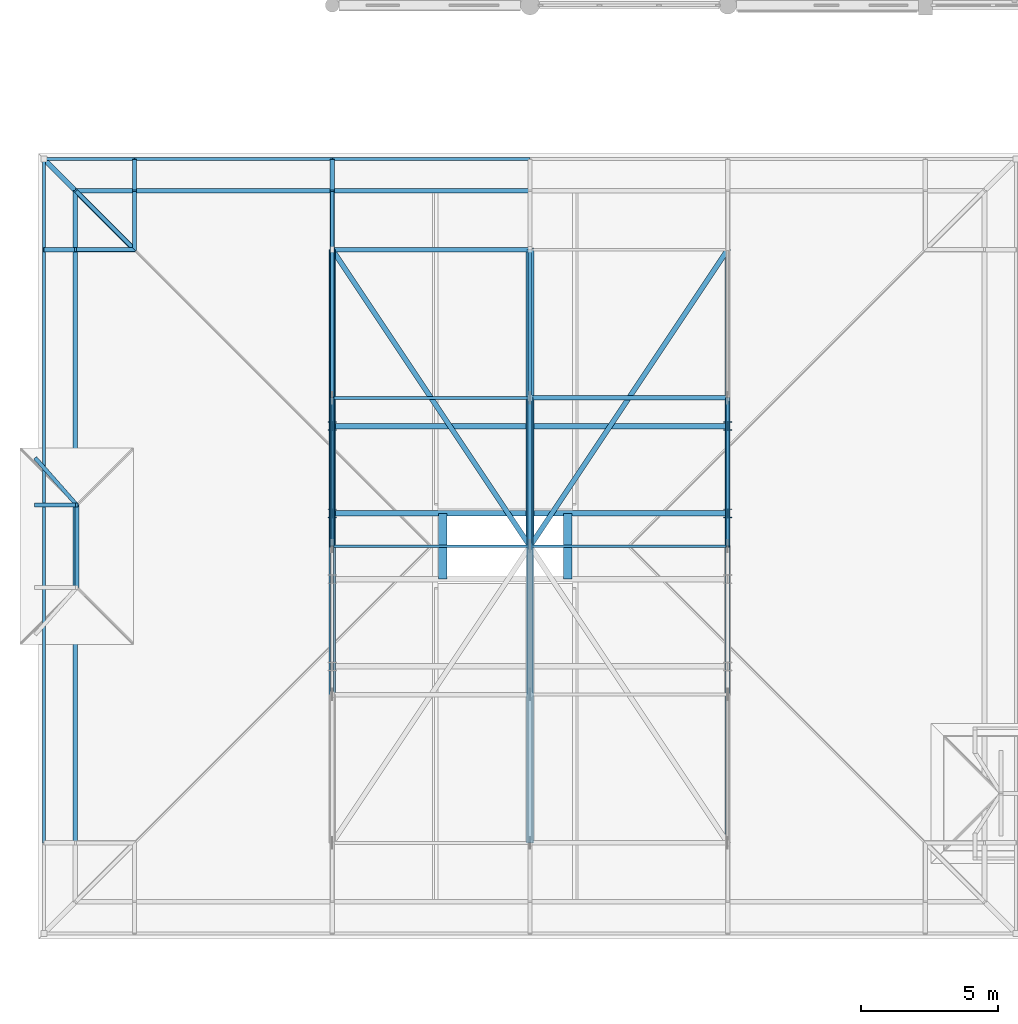
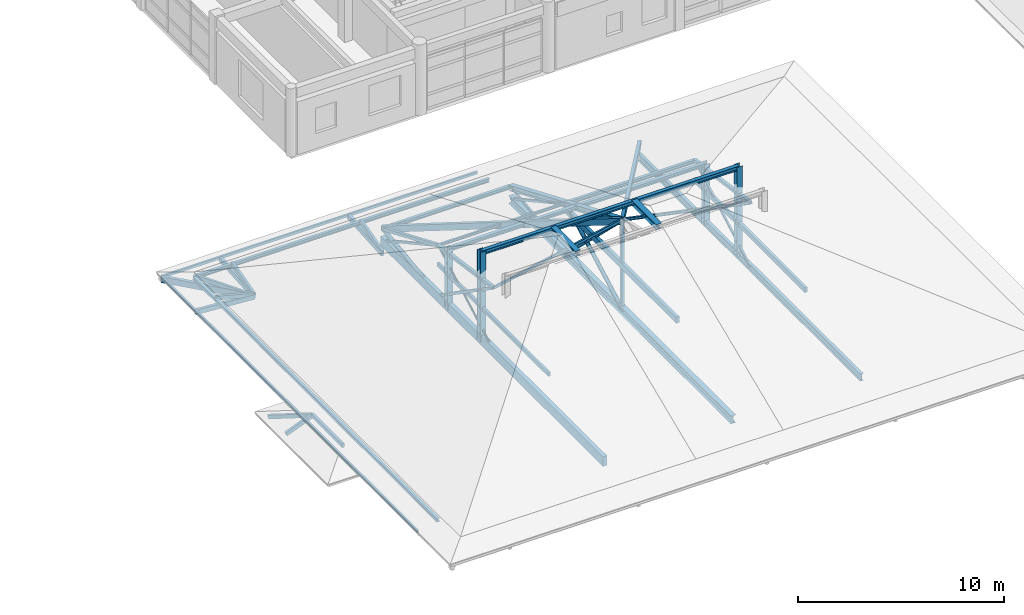
# One storey, part 9 of 110: 53 members, 5 beams.
"""IFC4 building model written with IfcOpenShell, lengths in metres."""

import ifcopenshell
import ifcopenshell.guid

model = None  # the IFC model being written
_history = None  # IfcOwnerHistory: only IFC2X3 demands one
_inside = {}  # id of a spatial element -> (the spatial element, [elements in it])
_under = {}  # id of a project, library or spatial element -> (it, [spatial elements below it])
_declared = {}  # id of a project -> (the project, [libraries it declares])
_typed = {}  # id of a type object -> (the type object, [elements of that type])
_made_of = {}  # id of a material, layer set ... -> (it, [elements and type objects made of it])


def new_model(schema):
    """Start an empty IFC model of exactly this schema.

    Asked for "IFC4X3", IfcOpenShell would pick the latest addendum, in which some entities
    have other attributes; the version numbers below select the first issue.
    IFC2X3 requires an IfcOwnerHistory on every rooted entity: one is made here for all.
    """
    global model, _history
    if schema == "IFC4X3":
        model = ifcopenshell.file(schema_version=(4, 3, 0, 0))
    else:
        model = ifcopenshell.file(schema=schema)
    _inside.clear()
    _under.clear()
    _declared.clear()
    _typed.clear()
    _made_of.clear()
    _history = None
    if model.schema == "IFC2X3":
        org = make("IfcOrganization", Name="unknown")
        user = make(
            "IfcPersonAndOrganization",
            ThePerson=make("IfcPerson", FamilyName="unknown"),
            TheOrganization=org,
        )
        app = make(
            "IfcApplication",
            ApplicationDeveloper=org,
            Version="unknown",
            ApplicationFullName="unknown",
            ApplicationIdentifier="unknown",
        )
        _history = make(
            "IfcOwnerHistory",
            OwningUser=user,
            OwningApplication=app,
            ChangeAction="ADDED",
            CreationDate=0,
        )
    return model


def make(cls, **values):
    """One entity of the class cls with the attributes given. An attribute that is None is left unset."""
    return model.create_entity(
        cls, **{name: value for name, value in values.items() if value is not None}
    )


def rooted(cls, **values):
    """An entity with a GlobalId (a new one), such as an element, a storey or a relation."""
    return make(cls, GlobalId=ifcopenshell.guid.new(), OwnerHistory=_history, **values)


def si_unit(unit_type, name, prefix=None):
    """IfcSIUnit, for example si_unit("LENGTHUNIT", "METRE", prefix="MILLI")."""
    return make("IfcSIUnit", UnitType=unit_type, Prefix=prefix, Name=name)


def assignment(units):
    """IfcUnitAssignment: the units of a project."""
    return None if units is None else make("IfcUnitAssignment", Units=units)


def point(xyz):
    """IfcCartesianPoint."""
    return None if xyz is None else make("IfcCartesianPoint", Coordinates=xyz)


def direction(xyz):
    """IfcDirection."""
    return None if xyz is None else make("IfcDirection", DirectionRatios=xyz)


def frame(location, z_axis=None, x_axis=None):
    """IfcAxis2Placement3D, a coordinate frame: its origin and axes. An axis left out is left unset."""
    return make(
        "IfcAxis2Placement3D",
        Location=point(location),
        Axis=direction(z_axis),
        RefDirection=direction(x_axis),
    )


def frame_2d(location, x_axis=None):
    """IfcAxis2Placement2D, a coordinate frame in the plane: its origin and x axis."""
    return make(
        "IfcAxis2Placement2D", Location=point(location), RefDirection=direction(x_axis)
    )


def origin():
    """The frame at (0, 0, 0) with its axes left unset."""
    return frame((0.0, 0.0, 0.0))


def origin_2d():
    """The frame at (0, 0) in the plane with its x axis left unset."""
    return frame_2d((0.0, 0.0))


def place(relative_to, where):
    """IfcLocalPlacement: puts the frame where relative to a parent placement (None: the world)."""
    return make(
        "IfcLocalPlacement", PlacementRelTo=relative_to, RelativePlacement=where
    )


def context(
    kind, dimensions, precision=None, world=None, true_north=None, identifier=None
):
    """IfcGeometricRepresentationContext, for example the 3D "Model" context."""
    return make(
        "IfcGeometricRepresentationContext",
        ContextIdentifier=identifier,
        ContextType=kind,
        CoordinateSpaceDimension=dimensions,
        Precision=precision,
        WorldCoordinateSystem=world,
        TrueNorth=true_north,
    )


def subcontext(parent, identifier, kind, view, scale=None):
    """IfcGeometricRepresentationSubContext, for example "Body" below "Model"."""
    return make(
        "IfcGeometricRepresentationSubContext",
        ContextIdentifier=identifier,
        ContextType=kind,
        ParentContext=parent,
        TargetScale=scale,
        TargetView=view,
    )


def project(units=None, contexts=None):
    """IfcProject with its units and contexts."""
    return rooted(
        "IfcProject",
        Name="project",
        RepresentationContexts=contexts,
        UnitsInContext=assignment(units),
    )


def spatial(cls, under=None, at=None, **own):
    """A site, building, storey or space (cls), placed at a placement, below another one or the project."""
    s = rooted(cls, ObjectPlacement=at, **own)
    if under is not None:
        _under.setdefault(under.id(), (under, []))[1].append(s)
    return s


def profile(cls, at=None, kind="AREA", **sizes):
    """A parametric profile (cls). Its sizes go by their IFC names, for example OverallWidth=200.0."""
    return make(cls, ProfileType=kind, Position=at, **sizes)


def rectangle(**sizes):
    """IfcRectangleProfileDef."""
    return profile("IfcRectangleProfileDef", **sizes)


def hollow_rectangle(**sizes):
    """IfcRectangleHollowProfileDef."""
    return profile("IfcRectangleHollowProfileDef", **sizes)


def hollow_circle(**sizes):
    """IfcCircleHollowProfileDef."""
    return profile("IfcCircleHollowProfileDef", **sizes)


def i_section(**sizes):
    """IfcIShapeProfileDef."""
    return profile("IfcIShapeProfileDef", **sizes)


def extrude(swept, where, along, depth):
    """IfcExtrudedAreaSolid: the profile swept, set in the frame where, extruded along a direction by depth."""
    return make(
        "IfcExtrudedAreaSolid",
        SweptArea=swept,
        Position=where,
        ExtrudedDirection=direction(along),
        Depth=depth,
    )


def shape(context_of_items, identifier, shape_type, items):
    """IfcShapeRepresentation: the items that make up one representation, for example the "Body"."""
    return make(
        "IfcShapeRepresentation",
        ContextOfItems=context_of_items,
        RepresentationIdentifier=identifier,
        RepresentationType=shape_type,
        Items=items,
    )


def material(Name=None, Category=None):
    """IfcMaterial."""
    return make("IfcMaterial", Name=Name, Category=Category)


def material_profile(
    of_material, cross_section, Name=None, Category=None, Priority=None
):
    """IfcMaterialProfile: a cross section and its material."""
    return make(
        "IfcMaterialProfile",
        Name=Name,
        Material=of_material,
        Profile=cross_section,
        Priority=Priority,
        Category=Category,
    )


def profile_set(profiles, Name=None, composite=None):
    """IfcMaterialProfileSet."""
    return make(
        "IfcMaterialProfileSet",
        Name=Name,
        MaterialProfiles=profiles,
        CompositeProfile=composite,
    )


def made_of(thing, what):
    """Note that an element or type object is made of a material, layer set ...; save() writes the relation."""
    if what is not None:
        _made_of.setdefault(what.id(), (what, []))[1].append(thing)
    return thing


def type_object(cls, material=None, **own):
    """A type object (cls), such as IfcWallType, which elements share."""
    return made_of(rooted(cls, **own), material)


def element(
    cls,
    number,
    at=None,
    inside=None,
    cuts=None,
    type_object=None,
    material=None,
    context=None,
    identifier="Body",
    shape_type=None,
    held_by="IfcProductDefinitionShape",
    body=None,
    shapes=None,
    **own,
):
    """One element of the class cls, such as IfcWall. Its Tag is "e" and its number.

    at: its placement. inside: the storey or other place that contains it. cuts: it is an
    opening in that element (IfcRelVoidsElement). A single representation is given by context,
    identifier, shape_type and body (its items); several are given by shapes. held_by: the class
    of the entity that holds the representations. save() writes the other relations.
    """
    e = rooted(cls, Tag="e%d" % number, ObjectPlacement=at, **own)
    if body is not None:
        shapes = [shape(context, identifier, shape_type, body)]
    if shapes is not None:
        e.Representation = make(held_by, Representations=shapes)
    if inside is not None:
        _inside.setdefault(inside.id(), (inside, []))[1].append(e)
    if cuts is not None:
        rooted(
            "IfcRelVoidsElement", RelatingBuildingElement=cuts, RelatedOpeningElement=e
        )
    if type_object is not None:
        _typed.setdefault(type_object.id(), (type_object, []))[1].append(e)
    return made_of(e, material)


def aggregate(whole, parts):
    """IfcRelAggregates: a whole, such as a stair, and the parts it consists of."""
    return rooted("IfcRelAggregates", RelatingObject=whole, RelatedObjects=parts)


def save(model, path):
    """Write the relations noted so far, then the file.

    IfcRelAggregates (storeys below a building ...), IfcRelContainedInSpatialStructure (elements
    in a storey), IfcRelDefinesByType, IfcRelAssociatesMaterial and IfcRelDeclares: one each for
    every whole, place, type object, material and project.
    """
    for whole, parts in _under.values():
        aggregate(whole, parts)
    for where, things in _inside.values():
        rooted(
            "IfcRelContainedInSpatialStructure",
            RelatedElements=things,
            RelatingStructure=where,
        )
    for kind, things in _typed.values():
        rooted("IfcRelDefinesByType", RelatedObjects=things, RelatingType=kind)
    for what, things in _made_of.values():
        rooted("IfcRelAssociatesMaterial", RelatedObjects=things, RelatingMaterial=what)
    for by, libraries in _declared.values():
        rooted("IfcRelDeclares", RelatingContext=by, RelatedDefinitions=libraries)
    model.write(path)


model = new_model("IFC4")

# Units and contexts
model_context = context("Model", 3, precision=1e-05, world=origin(), true_north=direction((0.0, 1.0)))
body_context = subcontext(model_context, "Body", "Model", "MODEL_VIEW")
ifc_project = project(units=[si_unit("LENGTHUNIT", "METRE"), si_unit("AREAUNIT", "SQUARE_METRE"), si_unit("VOLUMEUNIT", "CUBIC_METRE"), si_unit("PLANEANGLEUNIT", "RADIAN"), si_unit("MASSUNIT", "GRAM", prefix="KILO")], contexts=[model_context])

# Site, building, storey
site_placement = place(None, origin())
site = spatial("IfcSite", under=ifc_project, at=site_placement, CompositionType="ELEMENT")
building_placement = place(site_placement, origin())
building = spatial("IfcBuilding", under=site, at=building_placement, Name="Steenspoor Specialist Clinic", CompositionType="ELEMENT")
storey_placement = place(building_placement, frame((0.0, 0.0, 4.800048828125)))
storey = spatial("IfcBuildingStorey", under=building, at=storey_placement, Name="L01", CompositionType="ELEMENT", Elevation=4.800048828125)

# Beams
ifc_material_1 = material(Name="Glulam GL28h", Category="wood")
ifc_material_profile_1 = material_profile(ifc_material_1, rectangle(XDim=0.239990234375, YDim=0.56005859375, at=origin_2d()), Name="GL28H-240X560")
ifc_profile_set_1 = profile_set([ifc_material_profile_1], Name="Glulam GL28h")
beam_type_1 = type_object("IfcBeamType", Name="BM-GL-240X560", PredefinedType="BEAM", material=ifc_profile_set_1)
beam_1_placement = place(storey_placement, frame((15.60009765625, 34.64990234375, 0.300048828125), z_axis=(0.0, 1.0, 0.0), x_axis=(-1.0, 0.0, 0.0)))
element("IfcBeam", 1, at=beam_1_placement, inside=storey, type_object=beam_type_1, Name="ROOF TRUSS Bottom Tie Chord V3 2", PredefinedType="BEAM", context=body_context, shape_type="SweptSolid", body=[
    extrude(rectangle(XDim=0.239990234375, YDim=0.56005859375, at=origin_2d()), origin(), (0.0, 0.0, 1.0), 21.60009765625),
])
ifc_material_2 = material(Name="Steel A992 Grade 50", Category="steel")
ifc_material_profile_2 = material_profile(ifc_material_2, i_section(OverallWidth=0.2041015625, OverallDepth=0.2060546875, WebThickness=0.0078125, FlangeThickness=0.0126953125, at=origin_2d()), Name="W200X52")
ifc_profile_set_2 = profile_set([ifc_material_profile_2], Name="Steel A992 Grade 50")
beam_type_2 = type_object("IfcBeamType", Name="BM-ST-W200X52", PredefinedType="JOIST", material=ifc_profile_set_2)
beam_2_placement = place(storey_placement, frame((15.60009765625, 49.823974609375, 3.683837890625), z_axis=(1.0, 0.0, 0.0), x_axis=(0.0, 1.0, 0.0)))
element("IfcBeam", 2, at=beam_2_placement, inside=storey, type_object=beam_type_2, Name="Roof Sub-Facet Bearer V3 M N", PredefinedType="JOIST", context=body_context, shape_type="SweptSolid", body=[
    extrude(i_section(OverallWidth=0.2041015625, OverallDepth=0.2060546875, WebThickness=0.0078125, FlangeThickness=0.0126953125, at=origin_2d()), origin(), (0.0, 0.0, 1.0), 14.39990234375),
])
ifc_material_profile_3 = material_profile(ifc_material_2, i_section(OverallWidth=0.202880859375, OverallDepth=0.251953125, WebThickness=0.008056640625, FlangeThickness=0.013427734375, at=origin_2d()), Name="W250X58")
ifc_profile_set_3 = profile_set([ifc_material_profile_3], Name="Steel A992 Grade 50")
beam_type_3 = type_object("IfcBeamType", Name="BM-ST-W250X58", PredefinedType="JOIST", material=ifc_profile_set_3)
beam_3_placement = place(storey_placement, frame((15.60009765625, 46.64990234375, 5.4140625), z_axis=(1.0, 0.0, 0.0), x_axis=(0.0, 1.0, 0.0)))
element("IfcBeam", 3, at=beam_3_placement, inside=storey, type_object=beam_type_3, Name="Roof Curb Trimmer Beam V3 2", PredefinedType="JOIST", context=body_context, shape_type="SweptSolid", body=[
    extrude(i_section(OverallWidth=0.202880859375, OverallDepth=0.251953125, WebThickness=0.008056640625, FlangeThickness=0.013427734375, at=origin_2d()), origin(), (0.0, 0.0, 1.0), 14.39990234375),
])
ifc_material_profile_4 = material_profile(ifc_material_2, i_section(OverallWidth=0.180908203125, OverallDepth=0.4169921875, WebThickness=0.010986328125, FlangeThickness=0.018310546875, at=origin_2d()), Name="W410X85")
ifc_profile_set_4 = profile_set([ifc_material_profile_4], Name="Steel A992 Grade 50")
beam_type_4 = type_object("IfcBeamType", Name="BM-ST-W410X85", PredefinedType="BEAM", material=ifc_profile_set_4)
beam_4_placement = place(storey_placement, frame((30.0, 34.64990234375, 0.228515625), z_axis=(0.0, 1.0, 0.0), x_axis=(-1.0, 0.0, 0.0)))
element("IfcBeam", 4, at=beam_4_placement, inside=storey, type_object=beam_type_4, Name="ROOF TRUSS Bottom Tie Chord V3 4", PredefinedType="BEAM", context=body_context, shape_type="SweptSolid", body=[
    extrude(i_section(OverallWidth=0.180908203125, OverallDepth=0.4169921875, WebThickness=0.010986328125, FlangeThickness=0.018310546875, at=origin_2d()), origin(), (0.0, 0.0, 1.0), 21.60009765625),
])
ifc_material_profile_5 = material_profile(ifc_material_2, i_section(OverallWidth=0.280029296875, OverallDepth=0.462890625, WebThickness=0.0107421875, FlangeThickness=0.017333984375, at=origin_2d()), Name="W460X113")
ifc_profile_set_5 = profile_set([ifc_material_profile_5], Name="Steel A992 Grade 50")
beam_type_5 = type_object("IfcBeamType", Name="BM-ST-W460X113", PredefinedType="BEAM", material=ifc_profile_set_5)
beam_5_placement = place(storey_placement, frame((22.800048828125, 34.64990234375, 0.25146484375), z_axis=(0.0, 1.0, 0.0), x_axis=(-1.0, 0.0, 0.0)))
element("IfcBeam", 5, at=beam_5_placement, inside=storey, type_object=beam_type_5, Name="ROOF TRUSS Bottom Tie Chord V3 3", PredefinedType="BEAM", context=body_context, shape_type="SweptSolid", body=[
    extrude(i_section(OverallWidth=0.280029296875, OverallDepth=0.462890625, WebThickness=0.0107421875, FlangeThickness=0.017333984375, at=origin_2d()), origin(), (0.0, 0.0, 1.0), 21.60009765625),
])

# Members
ifc_material_3 = material(Name="Steel A500 Grade C", Category="steel")
ifc_material_profile_6 = material_profile(ifc_material_3, hollow_rectangle(XDim=0.126953125, YDim=0.126953125, WallThickness=0.0087890625, at=origin_2d()), Name="HSS127X127X9.5")
ifc_profile_set_6 = profile_set([ifc_material_profile_6], Name="Steel A500 Grade C")
member_type_1 = type_object("IfcMemberType", Name="MEM-BRACE-H127A", PredefinedType="BRACE", material=ifc_profile_set_6)
member_1_placement = place(storey_placement, frame((15.60009765625, 50.85009765625, 3.27197265625), z_axis=(0.0, 0.876080396269, -0.482165053973), x_axis=(-1.0, 0.0, 0.0)))
element("IfcMember", 6, at=member_1_placement, inside=storey, type_object=member_type_1, Name="ROOF TRUSS Web Brace V3 2.4", PredefinedType="BRACE", context=body_context, shape_type="SweptSolid", body=[
    extrude(hollow_rectangle(XDim=0.126953125, YDim=0.126953125, WallThickness=0.0087890625, at=origin_2d()), origin(), (0.0, 0.0, 1.0), 6.163818359375),
])
member_2_placement = place(storey_placement, frame((22.800048828125, 45.449951171875, 5.490234375), z_axis=(0.0, 0.717750000324, -0.696300895472), x_axis=(-1.0, 0.0, 0.0)))
element("IfcMember", 7, at=member_2_placement, inside=storey, type_object=member_type_1, Name="ROOF TRUSS Web Brace V3 3.3", PredefinedType="BRACE", context=body_context, shape_type="SweptSolid", body=[
    extrude(hollow_rectangle(XDim=0.126953125, YDim=0.126953125, WallThickness=0.0087890625, at=origin_2d()), origin(), (0.0, 0.0, 1.0), 7.523681640625),
])
ifc_material_profile_7 = material_profile(ifc_material_3, hollow_rectangle(XDim=0.126953125, YDim=0.126953125, WallThickness=0.005859375, at=origin_2d()), Name="HSS127X127X6.4")
ifc_profile_set_7 = profile_set([ifc_material_profile_7], Name="Steel A500 Grade C")
member_type_2 = type_object("IfcMemberType", Name="MEM-BRACE-H127B", PredefinedType="BRACE", material=ifc_profile_set_7)
member_3_placement = place(storey_placement, frame((22.800048828125, 50.85009765625, 3.212158203125), z_axis=(0.0, 0.87684960813, -0.480764770675), x_axis=(-1.0, 0.0, 0.0)))
element("IfcMember", 8, at=member_3_placement, inside=storey, type_object=member_type_2, Name="ROOF TRUSS Web Brace V3 3.4", PredefinedType="BRACE", context=body_context, shape_type="SweptSolid", body=[
    extrude(hollow_rectangle(XDim=0.126953125, YDim=0.126953125, WallThickness=0.005859375, at=origin_2d()), origin(), (0.0, 0.0, 1.0), 6.158203125),
])
member_4_placement = place(storey_placement, frame((30.0, 45.449951171875, 4.031494140625), z_axis=(0.0, 0.817601472922, -0.575784535635), x_axis=(-1.0, 0.0, 0.0)))
element("IfcMember", 9, at=member_4_placement, inside=storey, type_object=member_type_2, Name="ROOF TRUSS Web Brace V3 4.3", PredefinedType="BRACE", context=body_context, shape_type="SweptSolid", body=[
    extrude(hollow_rectangle(XDim=0.126953125, YDim=0.126953125, WallThickness=0.005859375, at=origin_2d()), origin(), (0.0, 0.0, 1.0), 6.60498046875),
])
ifc_material_profile_8 = material_profile(ifc_material_3, hollow_rectangle(XDim=0.15234375, YDim=0.15234375, WallThickness=0.0087890625, at=origin_2d()), Name="HSS152X152X9.5")
ifc_profile_set_8 = profile_set([ifc_material_profile_8], Name="Steel A500 Grade C")
member_type_3 = type_object("IfcMemberType", Name="MEM-BRACE-H152", PredefinedType="BRACE", material=ifc_profile_set_8)
member_5_placement = place(storey_placement, frame((15.60009765625, 45.449951171875, 4.031494140625), z_axis=(0.0, 0.822699343059, -0.568476728574), x_axis=(-1.0, 0.0, 0.0)))
element("IfcMember", 10, at=member_5_placement, inside=storey, type_object=member_type_3, Name="ROOF TRUSS Web Brace V3 2.3", PredefinedType="BRACE", context=body_context, shape_type="SweptSolid", body=[
    extrude(hollow_rectangle(XDim=0.15234375, YDim=0.15234375, WallThickness=0.0087890625, at=origin_2d()), origin(), (0.0, 0.0, 1.0), 6.56396484375),
])
ifc_material_profile_9 = material_profile(ifc_material_3, hollow_rectangle(XDim=0.177734375, YDim=0.177734375, WallThickness=0.0087890625, at=origin_2d()), Name="HSS178X178X9.5")
ifc_profile_set_9 = profile_set([ifc_material_profile_9], Name="Steel A500 Grade C")
member_type_4 = type_object("IfcMemberType", Name="MEM-CHORD-H178", PredefinedType="CHORD", material=ifc_profile_set_9)
member_6_placement = place(storey_placement, frame((15.60009765625, 45.449951171875, 4.031494140625), z_axis=(0.0, 0.990253395314, -0.139277467915), x_axis=(-1.0, 0.0, 0.0)))
element("IfcMember", 11, at=member_6_placement, inside=storey, type_object=member_type_4, Name="ROOF TRUSS Top Chord V3 2.3", PredefinedType="CHORD", context=body_context, shape_type="SweptSolid", body=[
    extrude(hollow_rectangle(XDim=0.177734375, YDim=0.177734375, WallThickness=0.0087890625, at=origin_2d()), origin(), (0.0, 0.0, 1.0), 5.453369140625),
])
member_7_placement = place(storey_placement, frame((15.60009765625, 50.85009765625, 3.27197265625), z_axis=(0.0, 0.921364627168, -0.388699400312), x_axis=(-1.0, 0.0, 0.0)))
element("IfcMember", 12, at=member_7_placement, inside=storey, type_object=member_type_4, Name="ROOF TRUSS Top Chord V3 2.4", PredefinedType="CHORD", context=body_context, shape_type="SweptSolid", body=[
    extrude(hollow_rectangle(XDim=0.177734375, YDim=0.177734375, WallThickness=0.0087890625, at=origin_2d()), origin(), (0.0, 0.0, 1.0), 5.86083984375),
])
member_8_placement = place(storey_placement, frame((30.0, 45.449951171875, 4.031494140625), z_axis=(0.0, 0.990253395314, -0.139277467915), x_axis=(-1.0, 0.0, 0.0)))
element("IfcMember", 13, at=member_8_placement, inside=storey, type_object=member_type_4, Name="ROOF TRUSS Top Chord V3 4.3", PredefinedType="CHORD", context=body_context, shape_type="SweptSolid", body=[
    extrude(hollow_rectangle(XDim=0.177734375, YDim=0.177734375, WallThickness=0.0087890625, at=origin_2d()), origin(), (0.0, 0.0, 1.0), 5.453369140625),
])
ifc_material_profile_10 = material_profile(ifc_material_2, i_section(OverallWidth=0.304931640625, OverallDepth=0.30810546875, WebThickness=0.010009765625, FlangeThickness=0.015380859375, at=origin_2d()), Name="W310X97")
ifc_profile_set_10 = profile_set([ifc_material_profile_10], Name="Steel A992 Grade 50")
member_type_5 = type_object("IfcMemberType", Name="MEM-CHORD-W310", PredefinedType="CHORD", material=ifc_profile_set_10)
member_9_placement = place(storey_placement, frame((22.800048828125, 45.449951171875, 5.490234375), z_axis=(0.0, 0.921370920613, -0.38868448213), x_axis=(-1.0, 0.0, 0.0)))
element("IfcMember", 14, at=member_9_placement, inside=storey, type_object=member_type_5, Name="ROOF TRUSS Top Chord V3 3.3", PredefinedType="CHORD", context=body_context, shape_type="SweptSolid", body=[
    extrude(i_section(OverallWidth=0.304931640625, OverallDepth=0.30810546875, WebThickness=0.010009765625, FlangeThickness=0.015380859375, at=origin_2d()), origin(), (0.0, 0.0, 1.0), 5.861083984375),
])
member_10_placement = place(storey_placement, frame((22.800048828125, 50.85009765625, 3.212158203125), z_axis=(0.0, 0.921349708028, -0.388734762425), x_axis=(-1.0, 0.0, 0.0)))
element("IfcMember", 15, at=member_10_placement, inside=storey, type_object=member_type_5, Name="ROOF TRUSS Top Chord V3 3.4", PredefinedType="CHORD", context=body_context, shape_type="SweptSolid", body=[
    extrude(i_section(OverallWidth=0.304931640625, OverallDepth=0.30810546875, WebThickness=0.010009765625, FlangeThickness=0.015380859375, at=origin_2d()), origin(), (0.0, 0.0, 1.0), 5.86083984375),
])
for number, where, z_axis, x_axis, name in (
    (16, (15.60009765625, 46.64990234375, 0.199951171875), (0.0, 0.0, 1.0), (1.0, 0.0, 0.0), "ROOF TRUSS Web Post Curb V3 2L"),
    (17, (30.0, 46.64990234375, 0.199951171875), (0.0, 0.0, 1.0), (1.0, 0.0, 0.0), "ROOF TRUSS Web Post Curb V3 2R"),
):
    element("IfcMember", number, at=place(storey_placement, frame(where, z_axis=z_axis, x_axis=x_axis)), inside=storey, type_object=member_type_5, Name=name, PredefinedType="CHORD", context=body_context, shape_type="SweptSolid", body=[
        extrude(i_section(OverallWidth=0.304931640625, OverallDepth=0.30810546875, WebThickness=0.010009765625, FlangeThickness=0.015380859375, at=origin_2d()), origin(), (0.0, 0.0, 1.0), 5.333984375),
    ])
for number, where, z_axis, x_axis, name in (
    (18, (19.6298828125, 44.25, 5.385986328125), (0.0, 1.0, 0.0), (-1.0, 0.0, 0.0), "ROOF TRUSS Curb Cross Chord V3 1"),
    (19, (24.169921875, 44.25, 5.385986328125), (0.0, 1.0, 0.0), (-1.0, 0.0, 0.0), "ROOF TRUSS Curb Cross Chord V3 2"),
):
    element("IfcMember", number, at=place(storey_placement, frame(where, z_axis=z_axis, x_axis=x_axis)), inside=storey, type_object=member_type_5, Name=name, PredefinedType="CHORD", context=body_context, shape_type="SweptSolid", body=[
        extrude(i_section(OverallWidth=0.304931640625, OverallDepth=0.30810546875, WebThickness=0.010009765625, FlangeThickness=0.015380859375, at=origin_2d()), origin(), (0.0, 0.0, 1.0), 2.39990234375),
    ])
for number, where, z_axis, x_axis, name in (
    (20, (15.60009765625, 49.823974609375, 0.179931640625), (0.0, 0.0, 1.0), (1.0, 0.0, 0.0), "ROOF TRUSS Web Post Sub-Facet V3 MNL"),
    (21, (30.0, 49.823974609375, 0.179931640625), (0.0, 0.0, 1.0), (1.0, 0.0, 0.0), "ROOF TRUSS Web Post Sub-Facet V3 MNR"),
):
    element("IfcMember", number, at=place(storey_placement, frame(where, z_axis=z_axis, x_axis=x_axis)), inside=storey, type_object=member_type_5, Name=name, PredefinedType="CHORD", context=body_context, shape_type="SweptSolid", body=[
        extrude(i_section(OverallWidth=0.304931640625, OverallDepth=0.30810546875, WebThickness=0.010009765625, FlangeThickness=0.015380859375, at=origin_2d()), origin(), (0.0, 0.0, 1.0), 3.583984375),
    ])
ifc_material_profile_11 = material_profile(ifc_material_3, hollow_rectangle(XDim=0.1015625, YDim=0.15234375, WallThickness=0.005859375, at=origin_2d()), Name="HSS152X102X6.4")
ifc_profile_set_11 = profile_set([ifc_material_profile_11], Name="Steel A500 Grade C")
member_type_6 = type_object("IfcMemberType", Name="MEM-PURLIN-H152", PredefinedType="PURLIN", material=ifc_profile_set_11)
member_11_placement = place(storey_placement, frame((5.10009765625, 59.550048828125, -0.195068359375), z_axis=(1.0, 0.0, 0.0), x_axis=(0.0, 1.0, 0.0)))
element("IfcMember", 22, at=member_11_placement, inside=storey, type_object=member_type_6, Name="ROOF TRUSS Eave Fascia 151", PredefinedType="PURLIN", context=body_context, shape_type="SweptSolid", body=[
    extrude(hollow_rectangle(XDim=0.1015625, YDim=0.15234375, WallThickness=0.005859375, at=origin_2d()), origin(), (0.0, 0.0, 1.0), 3.2998046875),
])
member_12_placement = place(storey_placement, frame((8.39990234375, 59.550048828125, -0.195068359375), z_axis=(1.0, 0.0, 0.0), x_axis=(0.0, 1.0, 0.0)))
element("IfcMember", 23, at=member_12_placement, inside=storey, type_object=member_type_6, Name="ROOF TRUSS Eave Fascia 152", PredefinedType="PURLIN", context=body_context, shape_type="SweptSolid", body=[
    extrude(hollow_rectangle(XDim=0.1015625, YDim=0.15234375, WallThickness=0.005859375, at=origin_2d()), origin(), (0.0, 0.0, 1.0), 7.2001953125),
])
member_13_placement = place(storey_placement, frame((15.60009765625, 59.550048828125, -0.195068359375), z_axis=(1.0, 0.0, 0.0), x_axis=(0.0, 1.0, 0.0)))
element("IfcMember", 24, at=member_13_placement, inside=storey, type_object=member_type_6, Name="ROOF TRUSS Eave Fascia 153", PredefinedType="PURLIN", context=body_context, shape_type="SweptSolid", body=[
    extrude(hollow_rectangle(XDim=0.1015625, YDim=0.15234375, WallThickness=0.005859375, at=origin_2d()), origin(), (0.0, 0.0, 1.0), 7.199951171875),
])
member_14_placement = place(storey_placement, frame((5.10009765625, 34.64990234375, -0.195068359375), z_axis=(0.0, 1.0, 0.0), x_axis=(-1.0, 0.0, 0.0)))
element("IfcMember", 25, at=member_14_placement, inside=storey, type_object=member_type_6, Name="ROOF TRUSS Eave Fascia 158", PredefinedType="PURLIN", context=body_context, shape_type="SweptSolid", body=[
    extrude(hollow_rectangle(XDim=0.1015625, YDim=0.15234375, WallThickness=0.005859375, at=origin_2d()), origin(), (0.0, 0.0, 1.0), 21.60009765625),
])
member_15_placement = place(storey_placement, frame((5.10009765625, 56.25, -0.195068359375), z_axis=(0.0, 1.0, 0.0), x_axis=(-1.0, 0.0, 0.0)))
element("IfcMember", 26, at=member_15_placement, inside=storey, type_object=member_type_6, Name="ROOF TRUSS Eave Fascia 159", PredefinedType="PURLIN", context=body_context, shape_type="SweptSolid", body=[
    extrude(hollow_rectangle(XDim=0.1015625, YDim=0.15234375, WallThickness=0.005859375, at=origin_2d()), origin(), (0.0, 0.0, 1.0), 3.300048828125),
])
member_16_placement = place(storey_placement, frame((15.60009765625, 45.449951171875, 4.037109375), z_axis=(0.97846697987, 0.0, 0.206403413983), x_axis=(0.0, 1.0, 0.0)))
element("IfcMember", 27, at=member_16_placement, inside=storey, type_object=member_type_6, Name="ROOF TRUSS Purlin 183", PredefinedType="PURLIN", context=body_context, shape_type="SweptSolid", body=[
    extrude(hollow_rectangle(XDim=0.1015625, YDim=0.15234375, WallThickness=0.005859375, at=origin_2d()), origin(), (0.0, 0.0, 1.0), 7.3583984375),
])
ifc_material_profile_12 = material_profile(ifc_material_2, i_section(OverallWidth=0.10205078125, OverallDepth=0.159912109375, WebThickness=0.006591796875, FlangeThickness=0.01025390625, at=origin_2d()), Name="W150X24")
ifc_profile_set_12 = profile_set([ifc_material_profile_12], Name="Steel A992 Grade 50")
member_type_7 = type_object("IfcMemberType", Name="MEM-PURLIN-W150", PredefinedType="PURLIN", material=ifc_profile_set_12)
member_17_placement = place(storey_placement, frame((15.60009765625, 50.85009765625, 3.27392578125), z_axis=(1.0, 0.0, 0.0), x_axis=(0.0, 1.0, 0.0)))
element("IfcMember", 28, at=member_17_placement, inside=storey, type_object=member_type_7, Name="ROOF TRUSS Purlin 184", PredefinedType="PURLIN", context=body_context, shape_type="SweptSolid", body=[
    extrude(i_section(OverallWidth=0.10205078125, OverallDepth=0.159912109375, WebThickness=0.006591796875, FlangeThickness=0.01025390625, at=origin_2d()), origin(), (0.0, 0.0, 1.0), 7.199951171875),
])
member_18_placement = place(storey_placement, frame((22.800048828125, 45.449951171875, 5.55224609375), z_axis=(0.97846697987, 0.0, -0.206403413983), x_axis=(0.0, 1.0, 0.0)))
element("IfcMember", 29, at=member_18_placement, inside=storey, type_object=member_type_7, Name="ROOF TRUSS Purlin 188", PredefinedType="PURLIN", context=body_context, shape_type="SweptSolid", body=[
    extrude(i_section(OverallWidth=0.10205078125, OverallDepth=0.159912109375, WebThickness=0.006591796875, FlangeThickness=0.01025390625, at=origin_2d()), origin(), (0.0, 0.0, 1.0), 7.3583984375),
])
ifc_material_profile_13 = material_profile(ifc_material_2, i_section(OverallWidth=0.1650390625, OverallDepth=0.200927734375, WebThickness=0.006103515625, FlangeThickness=0.01025390625, at=origin_2d()), Name="W200X36")
ifc_profile_set_13 = profile_set([ifc_material_profile_13], Name="Steel A992 Grade 50")
member_type_8 = type_object("IfcMemberType", Name="MEM-PURLIN-W200", PredefinedType="PURLIN", material=ifc_profile_set_13)
member_19_placement = place(storey_placement, frame((6.25, 58.39990234375, 0.0703125), z_axis=(1.0, 0.0, 0.0), x_axis=(0.0, 1.0, 0.0)))
element("IfcMember", 30, at=member_19_placement, inside=storey, type_object=member_type_8, Name="ROOF TRUSS Knuckle Purlin 164", PredefinedType="PURLIN", context=body_context, shape_type="SweptSolid", body=[
    extrude(i_section(OverallWidth=0.1650390625, OverallDepth=0.200927734375, WebThickness=0.006103515625, FlangeThickness=0.01025390625, at=origin_2d()), origin(), (0.0, 0.0, 1.0), 2.14990234375),
])
member_20_placement = place(storey_placement, frame((8.39990234375, 58.39990234375, 0.0703125), z_axis=(1.0, 0.0, 0.0), x_axis=(0.0, 1.0, 0.0)))
element("IfcMember", 31, at=member_20_placement, inside=storey, type_object=member_type_8, Name="ROOF TRUSS Knuckle Purlin 166", PredefinedType="PURLIN", context=body_context, shape_type="SweptSolid", body=[
    extrude(i_section(OverallWidth=0.1650390625, OverallDepth=0.200927734375, WebThickness=0.006103515625, FlangeThickness=0.01025390625, at=origin_2d()), origin(), (0.0, 0.0, 1.0), 7.2001953125),
])
member_21_placement = place(storey_placement, frame((15.60009765625, 58.39990234375, 0.0703125), z_axis=(1.0, 0.0, 0.0), x_axis=(0.0, 1.0, 0.0)))
element("IfcMember", 32, at=member_21_placement, inside=storey, type_object=member_type_8, Name="ROOF TRUSS Knuckle Purlin 168", PredefinedType="PURLIN", context=body_context, shape_type="SweptSolid", body=[
    extrude(i_section(OverallWidth=0.1650390625, OverallDepth=0.200927734375, WebThickness=0.006103515625, FlangeThickness=0.01025390625, at=origin_2d()), origin(), (0.0, 0.0, 1.0), 7.199951171875),
])
member_22_placement = place(storey_placement, frame((6.25, 34.64990234375, 0.0703125), z_axis=(0.0, 1.0, 0.0), x_axis=(-1.0, 0.0, 0.0)))
element("IfcMember", 33, at=member_22_placement, inside=storey, type_object=member_type_8, Name="ROOF TRUSS Knuckle Purlin 176", PredefinedType="PURLIN", context=body_context, shape_type="SweptSolid", body=[
    extrude(i_section(OverallWidth=0.1650390625, OverallDepth=0.200927734375, WebThickness=0.006103515625, FlangeThickness=0.01025390625, at=origin_2d()), origin(), (0.0, 0.0, 1.0), 21.60009765625),
])
member_23_placement = place(storey_placement, frame((6.25, 56.25, 0.0703125), z_axis=(0.0, 1.0, 0.0), x_axis=(-1.0, 0.0, 0.0)))
element("IfcMember", 34, at=member_23_placement, inside=storey, type_object=member_type_8, Name="ROOF TRUSS Knuckle Purlin 177", PredefinedType="PURLIN", context=body_context, shape_type="SweptSolid", body=[
    extrude(i_section(OverallWidth=0.1650390625, OverallDepth=0.200927734375, WebThickness=0.006103515625, FlangeThickness=0.01025390625, at=origin_2d()), origin(), (0.0, 0.0, 1.0), 2.14990234375),
])
for number, where, z_axis, x_axis, name in (
    (35, (15.60009765625, 56.25, 0.975341796875), (1.0, 0.0, 0.0), (0.0, 1.0, 0.0), "ROOF TRUSS Purlin 185"),
    (36, (22.800048828125, 50.85009765625, 3.25341796875), (1.0, 0.0, 0.0), (0.0, 1.0, 0.0), "ROOF TRUSS Purlin 189"),
):
    element("IfcMember", number, at=place(storey_placement, frame(where, z_axis=z_axis, x_axis=x_axis)), inside=storey, type_object=member_type_8, Name=name, PredefinedType="PURLIN", context=body_context, shape_type="SweptSolid", body=[
        extrude(i_section(OverallWidth=0.1650390625, OverallDepth=0.200927734375, WebThickness=0.006103515625, FlangeThickness=0.01025390625, at=origin_2d()), origin(), (0.0, 0.0, 1.0), 7.199951171875),
    ])
ifc_material_profile_14 = material_profile(ifc_material_1, rectangle(XDim=0.139892578125, YDim=0.219970703125, at=origin_2d()), Name="GL28H-140X220")
ifc_profile_set_14 = profile_set([ifc_material_profile_14], Name="Glulam GL28h")
member_type_9 = type_object("IfcMemberType", Name="MEM-RAFTER-GL220", PredefinedType="RAFTER", material=ifc_profile_set_14)
for number, where, z_axis, x_axis, name in (
    (37, (8.39990234375, 56.25, -0.40283203125), (0.0, 0.965556448109, 0.260193669244), (-1.0, 0.0, 0.0), "ROOF TRUSS Knuckle Rafter V3 82"),
    (38, (15.60009765625, 56.25, -0.40283203125), (0.0, 0.965556448109, 0.260193669244), (-1.0, 0.0, 0.0), "ROOF TRUSS Knuckle Rafter V3 86"),
    (39, (8.39990234375, 56.25, -0.40283203125), (-0.965556448109, 0.0, 0.260193669244), (0.0, -1.0, 0.0), "ROOF TRUSS Knuckle Rafter V3 102"),
):
    element("IfcMember", number, at=place(storey_placement, frame(where, z_axis=z_axis, x_axis=x_axis)), inside=storey, type_object=member_type_9, Name=name, PredefinedType="RAFTER", context=body_context, shape_type="SweptSolid", body=[
        extrude(rectangle(XDim=0.139892578125, YDim=0.219970703125, at=origin_2d()), origin(), (0.0, 0.0, 1.0), 2.2265625),
    ])
member_24_placement = place(storey_placement, frame((8.39990234375, 56.25, -0.5), z_axis=(-0.690226902148, 0.690226902148, 0.217194951834), x_axis=(-0.707106781187, -0.707106781187, 0.0)))
element("IfcMember", 40, at=member_24_placement, inside=storey, type_object=member_type_9, Name="ROOF TRUSS Corner Knuckle Rafter V3 110", PredefinedType="RAFTER", context=body_context, shape_type="SweptSolid", body=[
    extrude(rectangle(XDim=0.139892578125, YDim=0.219970703125, at=origin_2d()), origin(), (0.0, 0.0, 1.0), 3.11474609375),
])
member_25_placement = place(storey_placement, frame((15.60009765625, 40.050048828125, 2.165283203125), z_axis=(0.0, 1.0, 0.0), x_axis=(-1.0, 0.0, 0.0)))
element("IfcMember", 41, at=member_25_placement, inside=storey, type_object=member_type_9, Name="ROOF TRUSS Glulam Collar Rafter V3 2", PredefinedType="RAFTER", context=body_context, shape_type="SweptSolid", body=[
    extrude(rectangle(XDim=0.139892578125, YDim=0.219970703125, at=origin_2d()), origin(), (0.0, 0.0, 1.0), 10.800048828125),
])
member_26_placement = place(storey_placement, frame((22.800048828125, 45.449951171875, 0.179931640625), z_axis=(0.0, 0.0, 1.0), x_axis=(1.0, 0.0, 0.0)))
element("IfcMember", 42, at=member_26_placement, inside=storey, type_object=member_type_9, Name="ROOF TRUSS Hip King Post V3 W", PredefinedType="RAFTER", context=body_context, shape_type="SweptSolid", body=[
    extrude(rectangle(XDim=0.139892578125, YDim=0.219970703125, at=origin_2d()), origin(), (0.0, 0.0, 1.0), 5.350341796875),
])
member_27_placement = place(storey_placement, frame((6.300048828125, 43.949951171875, -1.167236328125), z_axis=(0.0, 1.0, 0.0), x_axis=(-1.0, 0.0, 0.0)))
element("IfcMember", 43, at=member_27_placement, inside=storey, type_object=member_type_9, Name="Walkway Ridge Rafter PORCH-WEST", PredefinedType="RAFTER", context=body_context, shape_type="SweptSolid", body=[
    extrude(rectangle(XDim=0.139892578125, YDim=0.219970703125, at=origin_2d()), origin(), (0.0, 0.0, 1.0), 3.0),
])
member_28_placement = place(storey_placement, frame((4.800048828125, 46.949951171875, -1.76513671875), z_axis=(0.92892437711, 0.0, 0.370269498623), x_axis=(0.0, 1.0, 0.0)))
element("IfcMember", 44, at=member_28_placement, inside=storey, type_object=member_type_9, Name="Walkway Rafter PORCH-WEST", PredefinedType="RAFTER", context=body_context, shape_type="SweptSolid", body=[
    extrude(rectangle(XDim=0.139892578125, YDim=0.219970703125, at=origin_2d()), origin(), (0.0, 0.0, 1.0), 1.61474609375),
])
member_29_placement = place(storey_placement, frame((4.800048828125, 48.64990234375, -1.76513671875), z_axis=(0.63975810249, -0.725038357363, 0.255007746256), x_axis=(0.74982842739, 0.661632321971, 0.0)))
element("IfcMember", 45, at=member_29_placement, inside=storey, type_object=member_type_9, Name="Walkway Hip Rafter PORCH-WEST", PredefinedType="RAFTER", context=body_context, shape_type="SweptSolid", body=[
    extrude(rectangle(XDim=0.139892578125, YDim=0.219970703125, at=origin_2d()), origin(), (0.0, 0.0, 1.0), 2.3447265625),
])
ifc_material_profile_15 = material_profile(ifc_material_1, rectangle(XDim=0.159912109375, YDim=0.280029296875, at=origin_2d()), Name="GL28H-160X280")
ifc_profile_set_15 = profile_set([ifc_material_profile_15], Name="Glulam GL28h")
member_type_10 = type_object("IfcMemberType", Name="MEM-RAFTER-GL280", PredefinedType="RAFTER", material=ifc_profile_set_15)
for number, where, z_axis, x_axis, name in (
    (46, (8.39990234375, 56.25, -0.5), (0.0, 0.997518653982, 0.070402663009), (-1.0, 0.0, 0.0), "ROOF TRUSS Flared Eave Glulam Outrigger V3 81"),
    (47, (15.60009765625, 56.25, -0.5), (0.0, 0.997518653982, 0.070402663009), (-1.0, 0.0, 0.0), "ROOF TRUSS Flared Eave Glulam Outrigger V3 85"),
):
    element("IfcMember", number, at=place(storey_placement, frame(where, z_axis=z_axis, x_axis=x_axis)), inside=storey, type_object=member_type_10, Name=name, PredefinedType="RAFTER", context=body_context, shape_type="SweptSolid", body=[
        extrude(rectangle(XDim=0.159912109375, YDim=0.280029296875, at=origin_2d()), origin(), (0.0, 0.0, 1.0), 3.308349609375),
    ])
member_30_placement = place(storey_placement, frame((8.39990234375, 56.25, -0.5), z_axis=(-0.997518288162, 0.0, 0.070407846027), x_axis=(0.0, -1.0, 0.0)))
element("IfcMember", 48, at=member_30_placement, inside=storey, type_object=member_type_10, Name="ROOF TRUSS Flared Eave Glulam Outrigger V3 101", PredefinedType="RAFTER", context=body_context, shape_type="SweptSolid", body=[
    extrude(rectangle(XDim=0.159912109375, YDim=0.280029296875, at=origin_2d()), origin(), (0.0, 0.0, 1.0), 3.30810546875),
])
member_31_placement = place(storey_placement, frame((30.0, 40.050048828125, 2.12939453125), z_axis=(0.0, 1.0, 0.0), x_axis=(-1.0, 0.0, 0.0)))
element("IfcMember", 49, at=member_31_placement, inside=storey, type_object=member_type_10, Name="ROOF TRUSS Glulam Collar Rafter V3 4", PredefinedType="RAFTER", context=body_context, shape_type="SweptSolid", body=[
    extrude(rectangle(XDim=0.159912109375, YDim=0.280029296875, at=origin_2d()), origin(), (0.0, 0.0, 1.0), 10.800048828125),
])
ifc_material_profile_16 = material_profile(ifc_material_1, rectangle(XDim=0.179931640625, YDim=0.360107421875, at=origin_2d()), Name="GL28H-180X360")
ifc_profile_set_16 = profile_set([ifc_material_profile_16], Name="Glulam GL28h")
member_type_11 = type_object("IfcMemberType", Name="MEM-RAFTER-GL360", PredefinedType="RAFTER", material=ifc_profile_set_16)
member_32_placement = place(storey_placement, frame((8.39990234375, 56.25, -0.5), z_axis=(-0.706485138482, 0.706537408764, 0.041032171775), x_axis=(-0.707132937873, -0.707080623533, 0.0)))
element("IfcMember", 50, at=member_32_placement, inside=storey, type_object=member_type_11, Name="ROOF TRUSS Corner Hip Outrigger V3 109", PredefinedType="RAFTER", context=body_context, shape_type="SweptSolid", body=[
    extrude(rectangle(XDim=0.179931640625, YDim=0.360107421875, at=origin_2d()), origin(), (0.0, 0.0, 1.0), 4.670654296875),
])
member_33_placement = place(storey_placement, frame((22.800048828125, 40.050048828125, 2.870361328125), z_axis=(0.0, 1.0, 0.0), x_axis=(-1.0, 0.0, 0.0)))
element("IfcMember", 51, at=member_33_placement, inside=storey, type_object=member_type_11, Name="ROOF TRUSS Glulam Collar Rafter V3 3", PredefinedType="RAFTER", context=body_context, shape_type="SweptSolid", body=[
    extrude(rectangle(XDim=0.179931640625, YDim=0.360107421875, at=origin_2d()), origin(), (0.0, 0.0, 1.0), 10.800048828125),
])
for number, where, z_axis, x_axis, name in (
    (52, (15.60009765625, 56.25, 0.993896484375), (0.524139133235, -0.786217586278, 0.327322587121), (0.832053188017, 0.554695855682, 0.0), "ROOF TRUSS Hip Rafter V3 192"),
    (53, (30.0, 56.25, 0.993896484375), (-0.524139133235, -0.786217586278, 0.327322587121), (0.832053188017, -0.554695855682, 0.0), "ROOF TRUSS Hip Rafter V3 194"),
):
    element("IfcMember", number, at=place(storey_placement, frame(where, z_axis=z_axis, x_axis=x_axis)), inside=storey, type_object=member_type_11, Name=name, PredefinedType="RAFTER", context=body_context, shape_type="SweptSolid", body=[
        extrude(rectangle(XDim=0.179931640625, YDim=0.360107421875, at=origin_2d()), origin(), (0.0, 0.0, 1.0), 13.73681640625),
    ])
ifc_material_profile_17 = material_profile(ifc_material_3, hollow_circle(Radius=0.05712890625, WallThickness=0.006103515625, at=origin_2d()), Name="CHS114X6.0")
ifc_profile_set_17 = profile_set([ifc_material_profile_17], Name="Steel A500 Grade C")
member_type_12 = type_object("IfcMemberType", Name="MEM-STRUT-CHS114", PredefinedType="STRUT", material=ifc_profile_set_17)
member_34_placement = place(storey_placement, frame((15.60009765625, 45.449951171875, 0.300048828125), z_axis=(0.0, 0.876089604304, 0.482148322853), x_axis=(-1.0, 0.0, 0.0)))
element("IfcMember", 54, at=member_34_placement, inside=storey, type_object=member_type_12, Name="ROOF TRUSS Web Strut V3 2.3", PredefinedType="STRUT", context=body_context, shape_type="SweptSolid", body=[
    extrude(hollow_circle(Radius=0.05712890625, WallThickness=0.006103515625, at=origin_2d()), origin(), (0.0, 0.0, 1.0), 6.163818359375),
])
ifc_material_profile_18 = material_profile(ifc_material_3, hollow_circle(Radius=0.109619140625, WallThickness=0.00830078125, at=origin_2d()), Name="CHS219X8.2")
ifc_profile_set_18 = profile_set([ifc_material_profile_18], Name="Steel A500 Grade C")
member_type_13 = type_object("IfcMemberType", Name="MEM-STRUT-CHS219", PredefinedType="STRUT", material=ifc_profile_set_18)
member_35_placement = place(storey_placement, frame((15.60009765625, 50.85009765625, 0.300048828125), z_axis=(0.0, 0.991845657495, 0.127444857519), x_axis=(-1.0, 0.0, 0.0)))
element("IfcMember", 55, at=member_35_placement, inside=storey, type_object=member_type_13, Name="ROOF TRUSS Web Strut V3 2.4", PredefinedType="STRUT", context=body_context, shape_type="SweptSolid", body=[
    extrude(hollow_circle(Radius=0.109619140625, WallThickness=0.00830078125, at=origin_2d()), origin(), (0.0, 0.0, 1.0), 5.4443359375),
])
member_36_placement = place(storey_placement, frame((22.800048828125, 45.449951171875, 0.25146484375), z_axis=(0.0, 0.876858770797, 0.480748058839), x_axis=(-1.0, 0.0, 0.0)))
element("IfcMember", 56, at=member_36_placement, inside=storey, type_object=member_type_13, Name="ROOF TRUSS Web Strut V3 3.3", PredefinedType="STRUT", context=body_context, shape_type="SweptSolid", body=[
    extrude(hollow_circle(Radius=0.109619140625, WallThickness=0.00830078125, at=origin_2d()), origin(), (0.0, 0.0, 1.0), 6.158447265625),
])
ifc_material_profile_19 = material_profile(ifc_material_3, hollow_rectangle(XDim=0.1015625, YDim=0.1015625, WallThickness=0.005859375, at=origin_2d()), Name="HSS102X102X6.4")
ifc_profile_set_19 = profile_set([ifc_material_profile_19], Name="Steel A500 Grade C")
member_type_14 = type_object("IfcMemberType", Name="MEM-STRUT-H102", PredefinedType="STRUT", material=ifc_profile_set_19)
member_37_placement = place(storey_placement, frame((22.800048828125, 50.85009765625, 0.25146484375), z_axis=(0.0, 0.992109977514, 0.125370620633), x_axis=(-1.0, 0.0, 0.0)))
element("IfcMember", 57, at=member_37_placement, inside=storey, type_object=member_type_14, Name="ROOF TRUSS Web Strut V3 3.4", PredefinedType="STRUT", context=body_context, shape_type="SweptSolid", body=[
    extrude(hollow_rectangle(XDim=0.1015625, YDim=0.1015625, WallThickness=0.005859375, at=origin_2d()), origin(), (0.0, 0.0, 1.0), 5.44287109375),
])
member_38_placement = place(storey_placement, frame((30.0, 45.449951171875, 0.228515625), z_axis=(0.0, 0.871170280936, 0.490980999238), x_axis=(-1.0, 0.0, 0.0)))
element("IfcMember", 58, at=member_38_placement, inside=storey, type_object=member_type_14, Name="ROOF TRUSS Web Strut V3 4.3", PredefinedType="STRUT", context=body_context, shape_type="SweptSolid", body=[
    extrude(hollow_rectangle(XDim=0.1015625, YDim=0.1015625, WallThickness=0.005859375, at=origin_2d()), origin(), (0.0, 0.0, 1.0), 6.19873046875),
])

save(model, "model.ifc")
